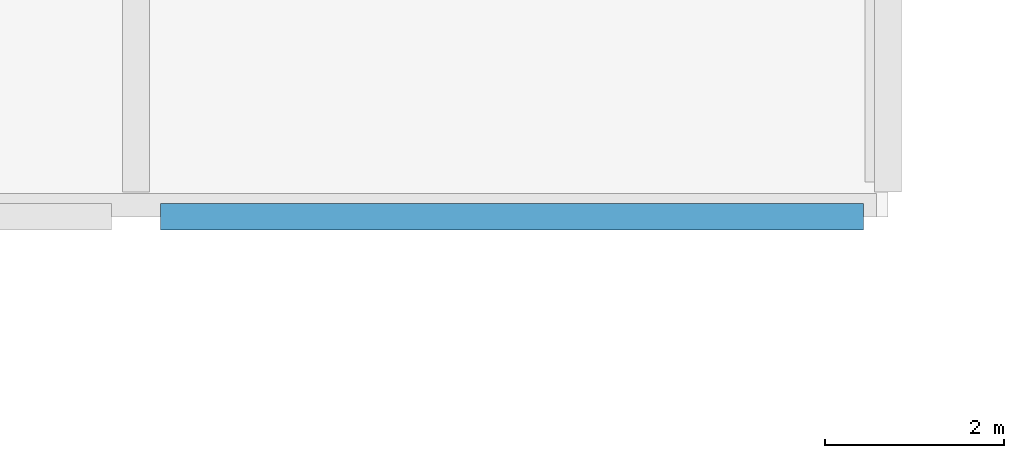
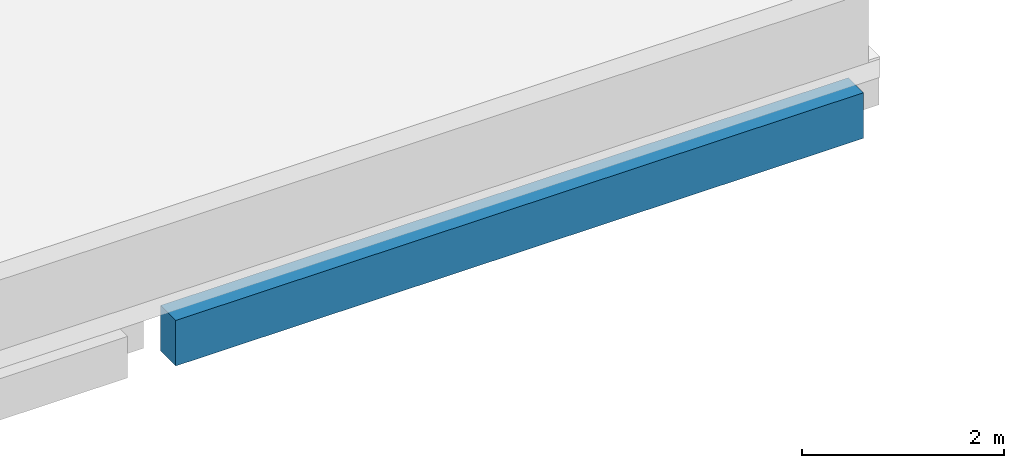
# One storey, part 61 of 107: 1 beam.
"""IFC4 building model written with IfcOpenShell, lengths in metres."""

from ifc_helpers import new_model, si_unit, direction, frame, origin, origin_2d, place, context, subcontext, project, spatial, rectangle, extrude, material, material_profile, profile_set, type_object, element, save


model = new_model("IFC4")

# Units and contexts
model_context = context("Model", 3, precision=1e-05, world=origin(), true_north=direction((0.0, 1.0)))
body_context = subcontext(model_context, "Body", "Model", "MODEL_VIEW")
ifc_project = project(units=[si_unit("LENGTHUNIT", "METRE"), si_unit("AREAUNIT", "SQUARE_METRE"), si_unit("VOLUMEUNIT", "CUBIC_METRE"), si_unit("PLANEANGLEUNIT", "RADIAN"), si_unit("MASSUNIT", "GRAM", prefix="KILO")], contexts=[model_context])

# Site, building, storey
site_placement = place(None, origin())
site = spatial("IfcSite", under=ifc_project, at=site_placement, CompositionType="ELEMENT")
building_placement = place(site_placement, origin())
building = spatial("IfcBuilding", under=site, at=building_placement, Name="Vireocrest Preparatory School", CompositionType="ELEMENT")
storey_placement = place(building_placement, frame((0.0, 0.0, 13.199951171875)))
storey = spatial("IfcBuildingStorey", under=building, at=storey_placement, Name="L03", CompositionType="ELEMENT", Elevation=13.199951171875)

# Beam
ifc_material = material(Name="Concrete 40 MPa", Category="concrete")
ifc_material_profile = material_profile(ifc_material, rectangle(XDim=0.300048828125, YDim=0.550048828125, at=origin_2d()), Name="RC 300x550")
ifc_profile_set = profile_set([ifc_material_profile], Name="Concrete 40 MPa")
beam_type = type_object("IfcBeamType", Name="RC Roof Girder 300x550", PredefinedType="BEAM", material=ifc_profile_set)
beam_placement = place(storey_placement, frame((126.27490234375, 18.0, -0.494873046875), z_axis=(1.0, 0.0, 0.0), x_axis=(0.0, 1.0, 0.0)))
element("IfcBeam", 1, at=beam_placement, inside=storey, type_object=beam_type, Name="Primary Girder B02 L03-1036", PredefinedType="BEAM", context=body_context, shape_type="SweptSolid", body=[
    extrude(rectangle(XDim=0.300048828125, YDim=0.550048828125, at=origin_2d()), origin(), (0.0, 0.0, 1.0), 7.85009765625),
])

save(model, "model.ifc")
